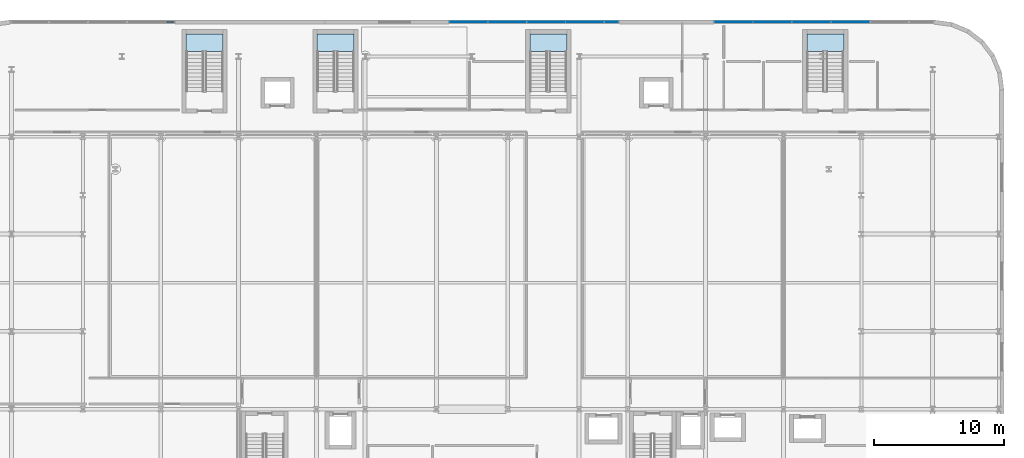
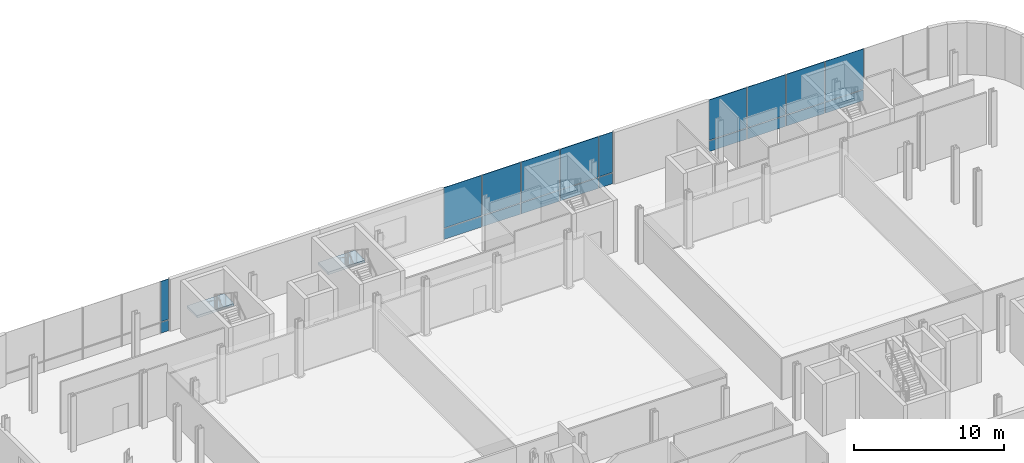
# One storey, part 15 of 25: 20 plates, 4 slabs, 7 elements without a shape of their own.
"""IFC4 building model written with IfcOpenShell, lengths in metres."""

from ifc_helpers import new_model, si_unit, direction, frame, origin, origin_2d, place, context, subcontext, project, spatial, polyline, rectangle, outline, extrude, material, layer, layer_set, type_object, element, aggregate, save


model = new_model("IFC4")

# Units and contexts
model_context = context("Model", 3, precision=1e-05, world=origin(), true_north=direction((0.0, 1.0)))
body_context = subcontext(model_context, "Body", "Model", "MODEL_VIEW")
ifc_project = project(units=[si_unit("LENGTHUNIT", "METRE"), si_unit("AREAUNIT", "SQUARE_METRE"), si_unit("VOLUMEUNIT", "CUBIC_METRE"), si_unit("PLANEANGLEUNIT", "RADIAN"), si_unit("MASSUNIT", "GRAM", prefix="KILO")], contexts=[model_context])

# Site, building, storey
site_placement = place(None, origin())
site = spatial("IfcSite", under=ifc_project, at=site_placement, CompositionType="ELEMENT")
building_placement = place(site_placement, origin())
building = spatial("IfcBuilding", under=site, at=building_placement, Name="Brevholm Reach", CompositionType="ELEMENT")
storey_placement = place(building_placement, frame((0.0, 0.0, 13.5)))
storey = spatial("IfcBuildingStorey", under=building, at=storey_placement, Name="L03", CompositionType="ELEMENT", Elevation=13.5)

# Curtain wall, plates
ifc_material_1 = material(Name="Dark Anodised Aluminium 6063-T6 and Solar-Control Glass", Category="aluminium")
ifc_layer_1 = layer(ifc_material_1, 0.1650390625)
ifc_layer_set_1 = layer_set([ifc_layer_1], Name="Dark Anodised Aluminium 6063-T6 and Solar-Control Glass")
curtain_wall_type = type_object("IfcCurtainWallType", Name="CW-03", PredefinedType="NOTDEFINED", material=ifc_layer_set_1)
curtain_wall_1_placement = place(storey_placement, origin())
curtain_wall_1 = element("IfcCurtainWall", 1, at=curtain_wall_1_placement, inside=storey, type_object=curtain_wall_type, Name="L03 Curtain Wall CW-03", PredefinedType="NOTDEFINED")
ifc_material_2 = material(Name="Triple-Glazed Acoustic School IGU Glass", Category="glass")
ifc_layer_2 = layer(ifc_material_2, 0.0439453125)
ifc_layer_set_2 = layer_set([ifc_layer_2], Name="Triple-Glazed Acoustic School IGU Glass")
plate_type = type_object("IfcPlateType", Name="CWP-ACU-44", PredefinedType="CURTAIN_PANEL", material=ifc_layer_set_2)
plate_1_placement = place(storey_placement, frame((6.732421875, 39.830078125, 0.0), z_axis=(0.0, 0.0, 1.0), x_axis=(1.0, 0.0, 0.0)))
plate_1 = element("IfcPlate", 2, at=plate_1_placement, type_object=plate_type, Name="CP-03 Glazing Panel 5.1", PredefinedType="CURTAIN_PANEL", context=body_context, shape_type="SweptSolid", body=[
    extrude(rectangle(XDim=0.594970703125, YDim=0.0439453125, at=origin_2d()), origin(), (0.0, 0.0, 1.0), 0.864990234375),
])
plate_2_placement = place(storey_placement, frame((6.732421875, 39.830078125, 0.93505859375), z_axis=(0.0, 0.0, 1.0), x_axis=(1.0, 0.0, 0.0)))
plate_2 = element("IfcPlate", 3, at=plate_2_placement, type_object=plate_type, Name="CP-03 Glazing Panel 5.2", PredefinedType="CURTAIN_PANEL", context=body_context, shape_type="SweptSolid", body=[
    extrude(rectangle(XDim=0.594970703125, YDim=0.0439453125, at=origin_2d()), origin(), (0.0, 0.0, 1.0), 3.284912109375),
])
aggregate(curtain_wall_1, [plate_1, plate_2])

curtain_wall_2_placement = place(storey_placement, origin())
curtain_wall_2 = element("IfcCurtainWall", 4, at=curtain_wall_2_placement, inside=storey, type_object=curtain_wall_type, Name="L03 Curtain Wall CW-03", PredefinedType="NOTDEFINED")
plate_3_placement = place(storey_placement, frame((29.717529296875, 39.830078125, 0.0), z_axis=(0.0, 0.0, 1.0), x_axis=(1.0, 0.0, 0.0)))
plate_3 = element("IfcPlate", 5, at=plate_3_placement, type_object=plate_type, Name="CP-03 Glazing Panel 1.1", PredefinedType="CURTAIN_PANEL", context=body_context, shape_type="SweptSolid", body=[
    extrude(rectangle(XDim=2.89501953125, YDim=0.0439453125, at=origin_2d()), origin(), (0.0, 0.0, 1.0), 0.864990234375),
])
plate_4_placement = place(storey_placement, frame((29.717529296875, 39.830078125, 0.93505859375), z_axis=(0.0, 0.0, 1.0), x_axis=(1.0, 0.0, 0.0)))
plate_4 = element("IfcPlate", 6, at=plate_4_placement, type_object=plate_type, Name="CP-03 Glazing Panel 1.2", PredefinedType="CURTAIN_PANEL", context=body_context, shape_type="SweptSolid", body=[
    extrude(rectangle(XDim=2.89501953125, YDim=0.0439453125, at=origin_2d()), origin(), (0.0, 0.0, 1.0), 3.284912109375),
])
plate_5_placement = place(storey_placement, frame((32.699951171875, 39.830078125, 0.0), z_axis=(0.0, 0.0, 1.0), x_axis=(1.0, 0.0, 0.0)))
plate_5 = element("IfcPlate", 7, at=plate_5_placement, type_object=plate_type, Name="CP-03 Glazing Panel 2.1", PredefinedType="CURTAIN_PANEL", context=body_context, shape_type="SweptSolid", body=[
    extrude(rectangle(XDim=2.929931640625, YDim=0.0439453125, at=origin_2d()), origin(), (0.0, 0.0, 1.0), 0.864990234375),
])
plate_6_placement = place(storey_placement, frame((32.699951171875, 39.830078125, 0.93505859375), z_axis=(0.0, 0.0, 1.0), x_axis=(1.0, 0.0, 0.0)))
plate_6 = element("IfcPlate", 8, at=plate_6_placement, type_object=plate_type, Name="CP-03 Glazing Panel 2.2", PredefinedType="CURTAIN_PANEL", context=body_context, shape_type="SweptSolid", body=[
    extrude(rectangle(XDim=2.929931640625, YDim=0.0439453125, at=origin_2d()), origin(), (0.0, 0.0, 1.0), 3.284912109375),
])
plate_7_placement = place(storey_placement, frame((35.699951171875, 39.830078125, 0.0), z_axis=(0.0, 0.0, 1.0), x_axis=(1.0, 0.0, 0.0)))
plate_7 = element("IfcPlate", 9, at=plate_7_placement, type_object=plate_type, Name="CP-03 Glazing Panel 3.1", PredefinedType="CURTAIN_PANEL", context=body_context, shape_type="SweptSolid", body=[
    extrude(rectangle(XDim=2.929931640625, YDim=0.0439453125, at=origin_2d()), origin(), (0.0, 0.0, 1.0), 0.864990234375),
])
plate_8_placement = place(storey_placement, frame((35.699951171875, 39.830078125, 0.93505859375), z_axis=(0.0, 0.0, 1.0), x_axis=(1.0, 0.0, 0.0)))
plate_8 = element("IfcPlate", 10, at=plate_8_placement, type_object=plate_type, Name="CP-03 Glazing Panel 3.2", PredefinedType="CURTAIN_PANEL", context=body_context, shape_type="SweptSolid", body=[
    extrude(rectangle(XDim=2.929931640625, YDim=0.0439453125, at=origin_2d()), origin(), (0.0, 0.0, 1.0), 3.284912109375),
])
plate_9_placement = place(storey_placement, frame((38.699951171875, 39.830078125, 0.0), z_axis=(0.0, 0.0, 1.0), x_axis=(1.0, 0.0, 0.0)))
plate_9 = element("IfcPlate", 11, at=plate_9_placement, type_object=plate_type, Name="CP-03 Glazing Panel 4.1", PredefinedType="CURTAIN_PANEL", context=body_context, shape_type="SweptSolid", body=[
    extrude(rectangle(XDim=2.929931640625, YDim=0.0439453125, at=origin_2d()), origin(), (0.0, 0.0, 1.0), 0.864990234375),
])
plate_10_placement = place(storey_placement, frame((38.699951171875, 39.830078125, 0.93505859375), z_axis=(0.0, 0.0, 1.0), x_axis=(1.0, 0.0, 0.0)))
plate_10 = element("IfcPlate", 12, at=plate_10_placement, type_object=plate_type, Name="CP-03 Glazing Panel 4.2", PredefinedType="CURTAIN_PANEL", context=body_context, shape_type="SweptSolid", body=[
    extrude(rectangle(XDim=2.929931640625, YDim=0.0439453125, at=origin_2d()), origin(), (0.0, 0.0, 1.0), 3.284912109375),
])
plate_11_placement = place(storey_placement, frame((40.757568359375, 39.830078125, 0.0), z_axis=(0.0, 0.0, 1.0), x_axis=(1.0, 0.0, 0.0)))
plate_11 = element("IfcPlate", 13, at=plate_11_placement, type_object=plate_type, Name="CP-03 Glazing Panel 5.1", PredefinedType="CURTAIN_PANEL", context=body_context, shape_type="SweptSolid", body=[
    extrude(rectangle(XDim=1.044921875, YDim=0.0439453125, at=origin_2d()), origin(), (0.0, 0.0, 1.0), 0.864990234375),
])
plate_12_placement = place(storey_placement, frame((40.757568359375, 39.830078125, 0.93505859375), z_axis=(0.0, 0.0, 1.0), x_axis=(1.0, 0.0, 0.0)))
plate_12 = element("IfcPlate", 14, at=plate_12_placement, type_object=plate_type, Name="CP-03 Glazing Panel 5.2", PredefinedType="CURTAIN_PANEL", context=body_context, shape_type="SweptSolid", body=[
    extrude(rectangle(XDim=1.044921875, YDim=0.0439453125, at=origin_2d()), origin(), (0.0, 0.0, 1.0), 3.284912109375),
])
aggregate(curtain_wall_2, [plate_3, plate_4, plate_5, plate_6, plate_7, plate_8, plate_9, plate_10, plate_11, plate_12])

curtain_wall_3_placement = place(storey_placement, origin())
curtain_wall_3 = element("IfcCurtainWall", 15, at=curtain_wall_3_placement, inside=storey, type_object=curtain_wall_type, Name="L03 Curtain Wall CW-03", PredefinedType="NOTDEFINED")
plate_13_placement = place(storey_placement, frame((50.16748046875, 39.830078125, 0.0), z_axis=(0.0, 0.0, 1.0), x_axis=(1.0, 0.0, 0.0)))
plate_13 = element("IfcPlate", 16, at=plate_13_placement, type_object=plate_type, Name="CP-03 Glazing Panel 1.1", PredefinedType="CURTAIN_PANEL", context=body_context, shape_type="SweptSolid", body=[
    extrude(rectangle(XDim=2.89501953125, YDim=0.0439453125, at=origin_2d()), origin(), (0.0, 0.0, 1.0), 0.864990234375),
])
plate_14_placement = place(storey_placement, frame((50.16748046875, 39.830078125, 0.93505859375), z_axis=(0.0, 0.0, 1.0), x_axis=(1.0, 0.0, 0.0)))
plate_14 = element("IfcPlate", 17, at=plate_14_placement, type_object=plate_type, Name="CP-03 Glazing Panel 1.2", PredefinedType="CURTAIN_PANEL", context=body_context, shape_type="SweptSolid", body=[
    extrude(rectangle(XDim=2.89501953125, YDim=0.0439453125, at=origin_2d()), origin(), (0.0, 0.0, 1.0), 3.284912109375),
])
plate_15_placement = place(storey_placement, frame((53.14990234375, 39.830078125, 0.0), z_axis=(0.0, 0.0, 1.0), x_axis=(1.0, 0.0, 0.0)))
plate_15 = element("IfcPlate", 18, at=plate_15_placement, type_object=plate_type, Name="CP-03 Glazing Panel 2.1", PredefinedType="CURTAIN_PANEL", context=body_context, shape_type="SweptSolid", body=[
    extrude(rectangle(XDim=2.929931640625, YDim=0.0439453125, at=origin_2d()), origin(), (0.0, 0.0, 1.0), 0.864990234375),
])
plate_16_placement = place(storey_placement, frame((53.14990234375, 39.830078125, 0.93505859375), z_axis=(0.0, 0.0, 1.0), x_axis=(1.0, 0.0, 0.0)))
plate_16 = element("IfcPlate", 19, at=plate_16_placement, type_object=plate_type, Name="CP-03 Glazing Panel 2.2", PredefinedType="CURTAIN_PANEL", context=body_context, shape_type="SweptSolid", body=[
    extrude(rectangle(XDim=2.929931640625, YDim=0.0439453125, at=origin_2d()), origin(), (0.0, 0.0, 1.0), 3.284912109375),
])
plate_17_placement = place(storey_placement, frame((56.14990234375, 39.830078125, 0.0), z_axis=(0.0, 0.0, 1.0), x_axis=(1.0, 0.0, 0.0)))
plate_17 = element("IfcPlate", 20, at=plate_17_placement, type_object=plate_type, Name="CP-03 Glazing Panel 3.1", PredefinedType="CURTAIN_PANEL", context=body_context, shape_type="SweptSolid", body=[
    extrude(rectangle(XDim=2.929931640625, YDim=0.0439453125, at=origin_2d()), origin(), (0.0, 0.0, 1.0), 0.864990234375),
])
plate_18_placement = place(storey_placement, frame((56.14990234375, 39.830078125, 0.93505859375), z_axis=(0.0, 0.0, 1.0), x_axis=(1.0, 0.0, 0.0)))
plate_18 = element("IfcPlate", 21, at=plate_18_placement, type_object=plate_type, Name="CP-03 Glazing Panel 3.2", PredefinedType="CURTAIN_PANEL", context=body_context, shape_type="SweptSolid", body=[
    extrude(rectangle(XDim=2.929931640625, YDim=0.0439453125, at=origin_2d()), origin(), (0.0, 0.0, 1.0), 3.284912109375),
])
plate_19_placement = place(storey_placement, frame((59.14990234375, 39.830078125, 0.0), z_axis=(0.0, 0.0, 1.0), x_axis=(1.0, 0.0, 0.0)))
plate_19 = element("IfcPlate", 22, at=plate_19_placement, type_object=plate_type, Name="CP-03 Glazing Panel 4.1", PredefinedType="CURTAIN_PANEL", context=body_context, shape_type="SweptSolid", body=[
    extrude(rectangle(XDim=2.929931640625, YDim=0.0439453125, at=origin_2d()), origin(), (0.0, 0.0, 1.0), 0.864990234375),
])
plate_20_placement = place(storey_placement, frame((59.14990234375, 39.830078125, 0.93505859375), z_axis=(0.0, 0.0, 1.0), x_axis=(1.0, 0.0, 0.0)))
plate_20 = element("IfcPlate", 23, at=plate_20_placement, type_object=plate_type, Name="CP-03 Glazing Panel 4.2", PredefinedType="CURTAIN_PANEL", context=body_context, shape_type="SweptSolid", body=[
    extrude(rectangle(XDim=2.929931640625, YDim=0.0439453125, at=origin_2d()), origin(), (0.0, 0.0, 1.0), 3.284912109375),
])
aggregate(curtain_wall_3, [plate_13, plate_14, plate_15, plate_16, plate_17, plate_18, plate_19, plate_20])

# Stair, slab
ifc_material_3 = material(Name="Precast Concrete C40/50", Category="concrete")
stair_type = type_object("IfcStairType", Name="STR-ESC-1250", PredefinedType="DOUBLE_RETURN_STAIR", material=ifc_material_3)
stair_1_placement = place(storey_placement, origin())
stair_1 = element("IfcStair", 24, at=stair_1_placement, inside=storey, type_object=stair_type, Name="L03 ST-S1", PredefinedType="DOUBLE_RETURN_STAIR")
ifc_material_4 = material(Name="Concrete C40/50", Category="concrete")
ifc_layer_3 = layer(ifc_material_4, 0.199951171875)
ifc_layer_set_3 = layer_set([ifc_layer_3], Name="Concrete C40/50")
slab_type = type_object("IfcSlabType", Name="SLB-LND-200", PredefinedType="LANDING", material=ifc_layer_set_3)
slab_1_placement = place(storey_placement, frame((0.0, 0.0, 2.050048828125)))
slab_1 = element("IfcSlab", 25, at=slab_1_placement, type_object=slab_type, Name="ST-S1 landing 1", PredefinedType="LANDING", context=body_context, shape_type="SweptSolid", body=[
    extrude(outline(polyline([(10.800048828125, 37.580078125), (10.800048828125, 38.929931640625), (7.949951171875, 38.929931640625), (7.949951171875, 37.580078125), (10.800048828125, 37.580078125)])), origin(), (0.0, 0.0, 1.0), 0.199951171875),
])
aggregate(stair_1, [slab_1])

stair_2_placement = place(storey_placement, origin())
stair_2 = element("IfcStair", 26, at=stair_2_placement, inside=storey, type_object=stair_type, Name="L03 ST-S2", PredefinedType="DOUBLE_RETURN_STAIR")
slab_2_placement = place(storey_placement, frame((0.0, 0.0, 2.050048828125)))
slab_2 = element("IfcSlab", 27, at=slab_2_placement, type_object=slab_type, Name="ST-S2 landing 1", PredefinedType="LANDING", context=body_context, shape_type="SweptSolid", body=[
    extrude(outline(polyline([(20.89990234375, 37.580078125), (20.89990234375, 38.929931640625), (18.050048828125, 38.929931640625), (18.050048828125, 37.580078125), (20.89990234375, 37.580078125)])), origin(), (0.0, 0.0, 1.0), 0.199951171875),
])
aggregate(stair_2, [slab_2])

stair_3_placement = place(storey_placement, origin())
stair_3 = element("IfcStair", 28, at=stair_3_placement, inside=storey, type_object=stair_type, Name="L03 ST-S3", PredefinedType="DOUBLE_RETURN_STAIR")
slab_3_placement = place(storey_placement, frame((0.0, 0.0, 2.050048828125)))
slab_3 = element("IfcSlab", 29, at=slab_3_placement, type_object=slab_type, Name="ST-S3 landing 1", PredefinedType="LANDING", context=body_context, shape_type="SweptSolid", body=[
    extrude(outline(polyline([(37.300048828125, 37.580078125), (37.300048828125, 38.929931640625), (34.449951171875, 38.929931640625), (34.449951171875, 37.580078125), (37.300048828125, 37.580078125)])), origin(), (0.0, 0.0, 1.0), 0.199951171875),
])
aggregate(stair_3, [slab_3])

stair_4_placement = place(storey_placement, origin())
stair_4 = element("IfcStair", 30, at=stair_4_placement, inside=storey, type_object=stair_type, Name="L03 ST-S4", PredefinedType="DOUBLE_RETURN_STAIR")
slab_4_placement = place(storey_placement, frame((0.0, 0.0, 2.050048828125)))
slab_4 = element("IfcSlab", 31, at=slab_4_placement, type_object=slab_type, Name="ST-S4 landing 1", PredefinedType="LANDING", context=body_context, shape_type="SweptSolid", body=[
    extrude(outline(polyline([(58.64990234375, 37.580078125), (58.64990234375, 38.929931640625), (55.800048828125, 38.929931640625), (55.800048828125, 37.580078125), (58.64990234375, 37.580078125)])), origin(), (0.0, 0.0, 1.0), 0.199951171875),
])
aggregate(stair_4, [slab_4])

save(model, "model.ifc")
